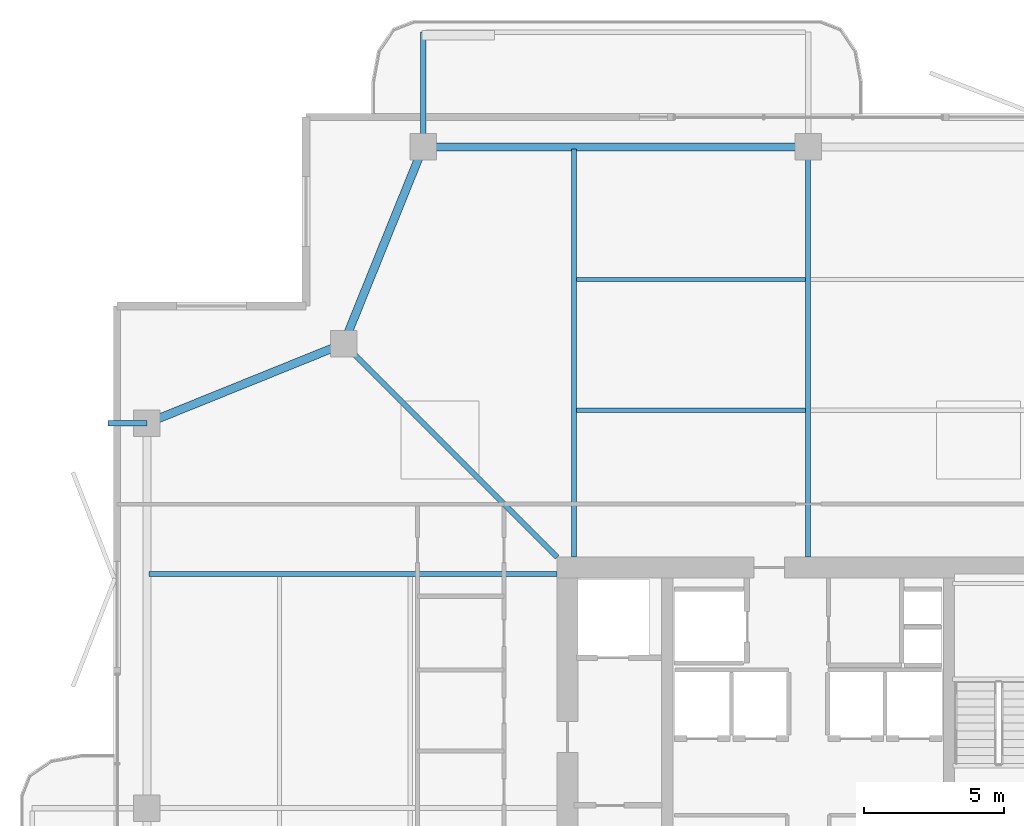
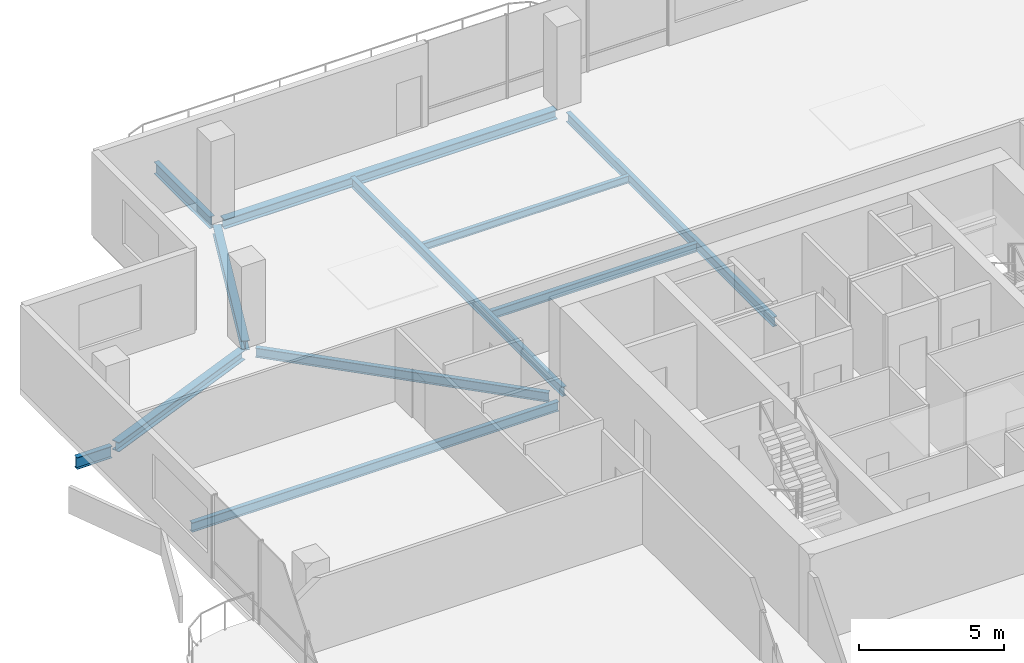
# One storey, part 12 of 24: 11 beams.
"""IFC4 building model written with IfcOpenShell, lengths in metres."""

from ifc_helpers import new_model, si_unit, direction, frame, origin, origin_2d, place, context, subcontext, project, spatial, i_section, extrude, material, material_profile, profile_set, type_object, element, save


model = new_model("IFC4")

# Units and contexts
model_context = context("Model", 3, precision=1e-05, world=origin(), true_north=direction((0.0, 1.0)))
body_context = subcontext(model_context, "Body", "Model", "MODEL_VIEW")
ifc_project = project(units=[si_unit("LENGTHUNIT", "METRE"), si_unit("AREAUNIT", "SQUARE_METRE"), si_unit("VOLUMEUNIT", "CUBIC_METRE"), si_unit("PLANEANGLEUNIT", "RADIAN"), si_unit("MASSUNIT", "GRAM", prefix="KILO")], contexts=[model_context])

# Site, building, storey
site_placement = place(None, origin())
site = spatial("IfcSite", under=ifc_project, at=site_placement, CompositionType="ELEMENT")
building_placement = place(site_placement, origin())
building = spatial("IfcBuilding", under=site, at=building_placement, Name="Belovzor Exchange Tower", CompositionType="ELEMENT")
storey_placement = place(building_placement, frame((0.0, 0.0, 261.60009765625)))
storey = spatial("IfcBuildingStorey", under=building, at=storey_placement, Name="L65", CompositionType="ELEMENT", Elevation=261.60009765625)

# Beams
ifc_material_1 = material(Name="Steel S355", Category="steel")
ifc_material_profile_1 = material_profile(ifc_material_1, i_section(OverallWidth=0.199951171875, OverallDepth=0.5, WebThickness=0.01025390625, FlangeThickness=0.01611328125, at=origin_2d()))
ifc_profile_set_1 = profile_set([ifc_material_profile_1], Name="Steel S355")
beam_type_1 = type_object("IfcBeamType", Name="Planted Balcony Cantilever Beam IPE 500", PredefinedType="BEAM", material=ifc_profile_set_1)
beam_1_placement = place(storey_placement, frame((15.0, 52.760986328125, -0.5), z_axis=(0.0, 1.0, 0.0), x_axis=(-1.0, 0.0, 0.0)))
element("IfcBeam", 1, at=beam_1_placement, inside=storey, type_object=beam_type_1, Name="BC-500 Planted Balcony Cantilever Beam IPE 500", PredefinedType="BEAM", context=body_context, shape_type="SweptSolid", body=[
    extrude(i_section(OverallWidth=0.199951171875, OverallDepth=0.5, WebThickness=0.01025390625, FlangeThickness=0.01611328125, at=origin_2d()), origin(), (0.0, 0.0, 1.0), 3.85009765625),
])
beam_2_placement = place(storey_placement, frame((5.10009765625, 42.60009765625, -0.5), z_axis=(-1.0, 0.0, 0.0), x_axis=(0.0, -1.0, 0.0)))
element("IfcBeam", 2, at=beam_2_placement, inside=storey, type_object=beam_type_1, Name="BC-500 Planted Balcony Cantilever Beam IPE 500", PredefinedType="BEAM", context=body_context, shape_type="SweptSolid", body=[
    extrude(i_section(OverallWidth=0.199951171875, OverallDepth=0.5, WebThickness=0.01025390625, FlangeThickness=0.01611328125, at=origin_2d()), origin(), (0.0, 0.0, 1.0), 1.400146484375),
])
ifc_material_2 = material(Name="Steel S355", Category="steel")
ifc_material_profile_2 = material_profile(ifc_material_2, i_section(OverallWidth=0.169921875, OverallDepth=0.360107421875, WebThickness=0.008056640625, FlangeThickness=0.0126953125, at=origin_2d()))
ifc_profile_set_2 = profile_set([ifc_material_profile_2], Name="Steel S355")
beam_type_2 = type_object("IfcBeamType", Name="Secondary Infill Floor Joist IPE 360", PredefinedType="BEAM", material=ifc_profile_set_2)
beam_3_placement = place(storey_placement, frame((20.489990234375, 43.06494140625, -0.43017578125), z_axis=(1.0, 0.0, 0.0), x_axis=(0.0, 1.0, 0.0)))
element("IfcBeam", 3, at=beam_3_placement, inside=storey, type_object=beam_type_2, Name="FJ-360 Secondary Infill Floor Joist IPE 360", PredefinedType="BEAM", context=body_context, shape_type="SweptSolid", body=[
    extrude(i_section(OverallWidth=0.169921875, OverallDepth=0.360107421875, WebThickness=0.008056640625, FlangeThickness=0.0126953125, at=origin_2d()), origin(), (0.0, 0.0, 1.0), 8.219970703125),
])
ifc_material_3 = material(Name="Steel S355", Category="steel")
ifc_material_profile_3 = material_profile(ifc_material_3, i_section(OverallWidth=0.14990234375, OverallDepth=0.300048828125, WebThickness=0.007080078125, FlangeThickness=0.0107421875, at=origin_2d()))
ifc_profile_set_3 = profile_set([ifc_material_profile_3], Name="Steel S355")
beam_type_3 = type_object("IfcBeamType", Name="Secondary Trim Floor Joist IPE 300", PredefinedType="BEAM", material=ifc_profile_set_3)
beam_4_placement = place(storey_placement, frame((20.489990234375, 47.7451171875, -0.400146484375), z_axis=(1.0, 0.0, 0.0), x_axis=(0.0, 1.0, 0.0)))
element("IfcBeam", 4, at=beam_4_placement, inside=storey, type_object=beam_type_3, Name="FJ-300 Secondary Trim Floor Joist IPE 300", PredefinedType="BEAM", context=body_context, shape_type="SweptSolid", body=[
    extrude(i_section(OverallWidth=0.14990234375, OverallDepth=0.300048828125, WebThickness=0.007080078125, FlangeThickness=0.0107421875, at=origin_2d()), origin(), (0.0, 0.0, 1.0), 8.219970703125),
])
ifc_material_4 = material(Name="Steel S355", Category="steel")
ifc_material_profile_4 = material_profile(ifc_material_4, i_section(OverallWidth=0.300048828125, OverallDepth=0.39990234375, WebThickness=0.013427734375, FlangeThickness=0.02392578125, at=origin_2d()))
ifc_profile_set_4 = profile_set([ifc_material_profile_4], Name="Steel S355")
beam_type_4 = type_object("IfcBeamType", Name="Zone 5 Primary Girder HEB 400", PredefinedType="BEAM", material=ifc_profile_set_4)
beam_5_placement = place(storey_placement, frame((28.5390625, 52.5, -0.4501953125), z_axis=(-1.0, 0.0, 0.0), x_axis=(0.0, -1.0, 0.0)))
element("IfcBeam", 5, at=beam_5_placement, inside=storey, type_object=beam_type_4, Name="FG-Z5 Zone 5 Primary Girder HEB 400", PredefinedType="BEAM", context=body_context, shape_type="SweptSolid", body=[
    extrude(i_section(OverallWidth=0.300048828125, OverallDepth=0.39990234375, WebThickness=0.013427734375, FlangeThickness=0.02392578125, at=origin_2d()), origin(), (0.0, 0.0, 1.0), 13.278076171875),
])
beam_6_placement = place(storey_placement, frame((14.902099609375, 52.258056640625, -0.4501953125), z_axis=(-0.374746306278, -0.927127394661, 0.0), x_axis=(0.927127394661, -0.374746306278, 0.0)))
element("IfcBeam", 6, at=beam_6_placement, inside=storey, type_object=beam_type_4, Name="FG-Z5 Zone 5 Primary Girder HEB 400", PredefinedType="BEAM", context=body_context, shape_type="SweptSolid", body=[
    extrude(i_section(OverallWidth=0.300048828125, OverallDepth=0.39990234375, WebThickness=0.013427734375, FlangeThickness=0.02392578125, at=origin_2d()), origin(), (0.0, 0.0, 1.0), 7.082275390625),
])
beam_7_placement = place(storey_placement, frame((11.907958984375, 45.35205078125, -0.4501953125), z_axis=(-0.927122553345, -0.374758283536, 0.0), x_axis=(0.374758283536, -0.927122553345, 0.0)))
element("IfcBeam", 7, at=beam_7_placement, inside=storey, type_object=beam_type_4, Name="FG-Z5 Zone 5 Primary Girder HEB 400", PredefinedType="BEAM", context=body_context, shape_type="SweptSolid", body=[
    extrude(i_section(OverallWidth=0.300048828125, OverallDepth=0.39990234375, WebThickness=0.013427734375, FlangeThickness=0.02392578125, at=origin_2d()), origin(), (0.0, 0.0, 1.0), 7.08203125),
])
ifc_material_5 = material(Name="Steel S355", Category="steel")
ifc_material_profile_5 = material_profile(ifc_material_5, i_section(OverallWidth=0.179931640625, OverallDepth=0.39990234375, WebThickness=0.008544921875, FlangeThickness=0.013427734375, at=origin_2d()))
ifc_profile_set_5 = profile_set([ifc_material_profile_5], Name="Steel S355")
beam_type_5 = type_object("IfcBeamType", Name="Zone 5-6 Radial Composite Floor Beam IPE 400", PredefinedType="BEAM", material=ifc_profile_set_5)
beam_8_placement = place(storey_placement, frame((20.39990234375, 37.800048828125, -0.4501953125), z_axis=(0.0, 1.0, 0.0), x_axis=(-1.0, 0.0, 0.0)))
element("IfcBeam", 8, at=beam_8_placement, inside=storey, type_object=beam_type_5, Name="FB-400 Zone 5-6 Radial Composite Floor Beam IPE 400", PredefinedType="BEAM", context=body_context, shape_type="SweptSolid", body=[
    extrude(i_section(OverallWidth=0.179931640625, OverallDepth=0.39990234375, WebThickness=0.008544921875, FlangeThickness=0.013427734375, at=origin_2d()), origin(), (0.0, 0.0, 1.0), 14.625),
])
beam_9_placement = place(storey_placement, frame((28.800048828125, 37.800048828125, -0.4501953125), z_axis=(0.0, 1.0, 0.0), x_axis=(-1.0, 0.0, 0.0)))
element("IfcBeam", 9, at=beam_9_placement, inside=storey, type_object=beam_type_5, Name="FB-400 Zone 5-6 Radial Composite Floor Beam IPE 400", PredefinedType="BEAM", context=body_context, shape_type="SweptSolid", body=[
    extrude(i_section(OverallWidth=0.179931640625, OverallDepth=0.39990234375, WebThickness=0.008544921875, FlangeThickness=0.013427734375, at=origin_2d()), origin(), (0.0, 0.0, 1.0), 14.281982421875),
])
beam_10_placement = place(storey_placement, frame((19.800048828125, 37.199951171875, -0.4501953125), z_axis=(-1.0, 0.0, 0.0), x_axis=(0.0, -1.0, 0.0)))
element("IfcBeam", 10, at=beam_10_placement, inside=storey, type_object=beam_type_5, Name="FB-400 Zone 5-6 Radial Composite Floor Beam IPE 400", PredefinedType="BEAM", context=body_context, shape_type="SweptSolid", body=[
    extrude(i_section(OverallWidth=0.179931640625, OverallDepth=0.39990234375, WebThickness=0.008544921875, FlangeThickness=0.013427734375, at=origin_2d()), origin(), (0.0, 0.0, 1.0), 14.625),
])
beam_11_placement = place(storey_placement, frame((19.800048828125, 37.800048828125, -0.4501953125), z_axis=(-0.707071845944, 0.707141714703, 0.0), x_axis=(-0.707141714703, -0.707071845944, 0.0)))
element("IfcBeam", 11, at=beam_11_placement, inside=storey, type_object=beam_type_5, Name="FB-400 Zone 5-6 Radial Composite Floor Beam IPE 400", PredefinedType="BEAM", context=body_context, shape_type="SweptSolid", body=[
    extrude(i_section(OverallWidth=0.179931640625, OverallDepth=0.39990234375, WebThickness=0.008544921875, FlangeThickness=0.013427734375, at=origin_2d()), origin(), (0.0, 0.0, 1.0), 10.48291015625),
])

save(model, "model.ifc")
